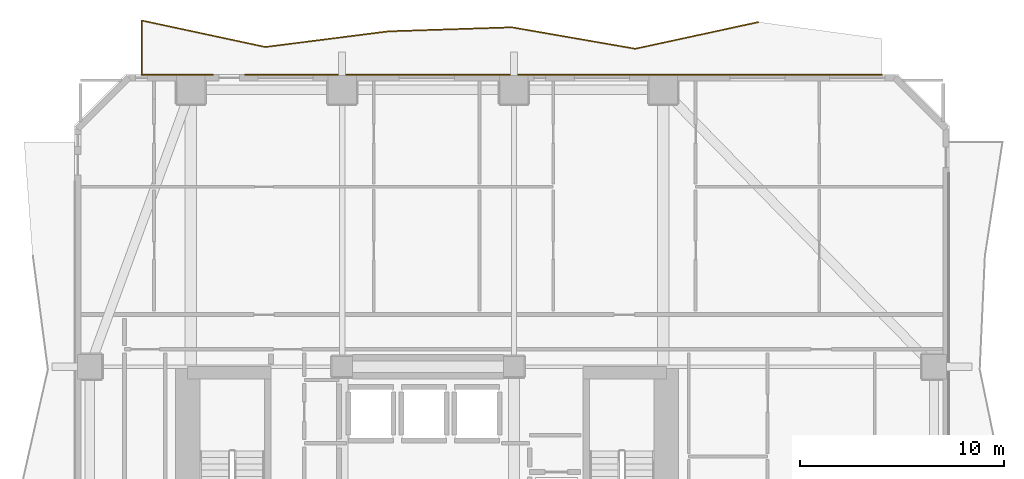
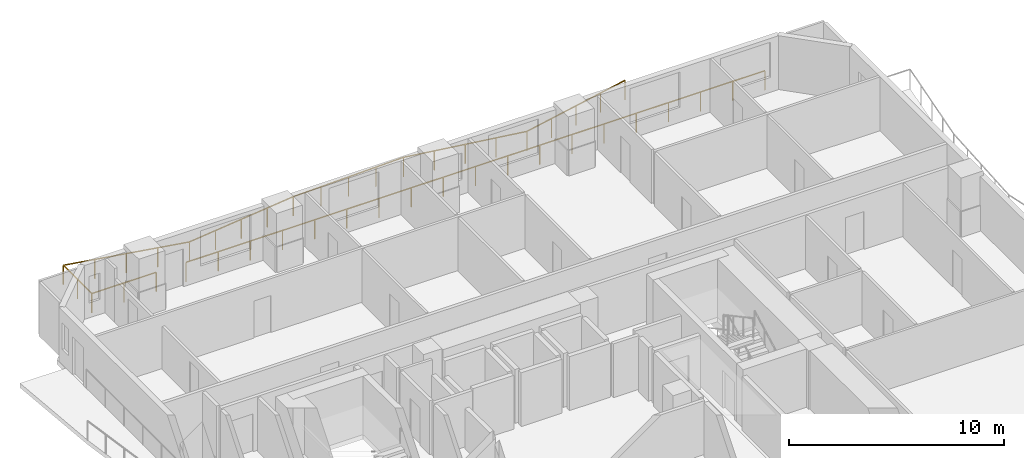
# One storey, part 11 of 11: 2 railings.
"""IFC4 building model written with IfcOpenShell, lengths in metres."""

from ifc_helpers import new_model, si_unit, direction, frame, origin, origin_2d, place, context, subcontext, project, spatial, rectangle, extrude, material, type_object, element, save


model = new_model("IFC4")

# Units and contexts
model_context = context("Model", 3, precision=1e-05, world=origin(), true_north=direction((0.0, 1.0)))
body_context = subcontext(model_context, "Body", "Model", "MODEL_VIEW")
ifc_project = project(units=[si_unit("LENGTHUNIT", "METRE"), si_unit("AREAUNIT", "SQUARE_METRE"), si_unit("VOLUMEUNIT", "CUBIC_METRE"), si_unit("PLANEANGLEUNIT", "RADIAN"), si_unit("MASSUNIT", "GRAM", prefix="KILO")], contexts=[model_context])

# Site, building, storey
site_placement = place(None, origin())
site = spatial("IfcSite", under=ifc_project, at=site_placement, CompositionType="ELEMENT")
building_placement = place(site_placement, origin())
building = spatial("IfcBuilding", under=site, at=building_placement, Name="Solanera Arch Residences", CompositionType="ELEMENT")
storey_placement = place(building_placement, frame((0.0, 0.0, 68.47998046875)))
storey = spatial("IfcBuildingStorey", under=building, at=storey_placement, Name="L19", CompositionType="ELEMENT", Elevation=68.47998046875)

# Railings
ifc_material = material(Name="Steel S355 (ASTM A992 / A572 Grade 50)", Category="steel")
railing_type = type_object("IfcRailingType", Name="Balustrade Railing BL-1100", PredefinedType="BALUSTRADE", material=ifc_material)
railing_1_placement = place(storey_placement, frame((41.1669921875, 56.259033203125, 0.0)))
element("IfcRailing", 1, at=railing_1_placement, inside=storey, type_object=railing_type, Name="L19 N Balcony Balustrade 1", PredefinedType="BALUSTRADE", context=body_context, shape_type="SweptSolid", body=[
    extrude(rectangle(XDim=0.048095703125, YDim=0.048095703125, at=origin_2d()), frame((0.0, 0.0, 1.09619140625), z_axis=(-0.977404229313, -0.211378741885, 0.0), x_axis=(0.211378741885, -0.977404229313, 0.0)), (0.0, 0.0, 1.0), 6.17333984375),
    extrude(rectangle(XDim=0.048095703125, YDim=0.048095703125, at=origin_2d()), frame((-6.033935546875, -1.304931640625, 1.09619140625), z_axis=(-0.98522228736, 0.171280601615, 0.0), x_axis=(-0.171280601615, -0.98522228736, 0.0)), (0.0, 0.0, 1.0), 6.12353515625),
    extrude(rectangle(XDim=0.048095703125, YDim=0.048095703125, at=origin_2d()), frame((-12.06689453125, -0.256103515625, 1.09619140625), z_axis=(-0.999467212416, -0.0326388006, 0.0), x_axis=(0.0326388006, -0.999467212416, 0.0)), (0.0, 0.0, 1.0), 6.036376953125),
    extrude(rectangle(XDim=0.048095703125, YDim=0.048095703125, at=origin_2d()), frame((-18.10009765625, -0.453125, 1.09619140625), z_axis=(-0.99204081397, -0.125916732083, 0.0), x_axis=(0.125916732083, -0.99204081397, 0.0)), (0.0, 0.0, 1.0), 6.082275390625),
    extrude(rectangle(XDim=0.048095703125, YDim=0.048095703125, at=origin_2d()), frame((-24.134033203125, -1.218994140625, 1.09619140625), z_axis=(-0.977763601424, 0.209710132635, 0.0), x_axis=(-0.209710132635, -0.977763601424, 0.0)), (0.0, 0.0, 1.0), 6.170166015625),
    extrude(rectangle(XDim=0.048095703125, YDim=0.048095703125, at=origin_2d()), frame((-30.1669921875, 0.074951171875, 1.09619140625), z_axis=(0.0, -1.0, 0.0), x_axis=(1.0, 0.0, 0.0)), (0.0, 0.0, 1.0), 2.654052734375),
    extrude(rectangle(XDim=0.048095703125, YDim=0.048095703125, at=origin_2d()), frame((-30.1669921875, -2.5791015625, 1.09619140625), z_axis=(1.0, 0.0, 0.0), x_axis=(0.0, 1.0, 0.0)), (0.0, 0.0, 1.0), 3.468017578125),
    extrude(rectangle(XDim=0.0419921875, YDim=0.0419921875, at=origin_2d()), origin(), (0.0, 0.0, 1.0), 1.072021484375),
    extrude(rectangle(XDim=0.0419921875, YDim=0.0419921875, at=origin_2d()), frame((-1.508544921875, -0.326171875, 0.0)), (0.0, 0.0, 1.0), 1.072021484375),
    extrude(rectangle(XDim=0.0419921875, YDim=0.0419921875, at=origin_2d()), frame((-3.01708984375, -0.65234375, 0.0)), (0.0, 0.0, 1.0), 1.072021484375),
    extrude(rectangle(XDim=0.0419921875, YDim=0.0419921875, at=origin_2d()), frame((-4.525390625, -0.978759765625, 0.0)), (0.0, 0.0, 1.0), 1.072021484375),
    extrude(rectangle(XDim=0.0419921875, YDim=0.0419921875, at=origin_2d()), frame((-6.033935546875, -1.304931640625, 0.0)), (0.0, 0.0, 1.0), 1.072021484375),
    extrude(rectangle(XDim=0.0419921875, YDim=0.0419921875, at=origin_2d()), frame((-7.542236328125, -1.042724609375, 0.0)), (0.0, 0.0, 1.0), 1.072021484375),
    extrude(rectangle(XDim=0.0419921875, YDim=0.0419921875, at=origin_2d()), frame((-9.05029296875, -0.780517578125, 0.0)), (0.0, 0.0, 1.0), 1.072021484375),
    extrude(rectangle(XDim=0.0419921875, YDim=0.0419921875, at=origin_2d()), frame((-10.55859375, -0.518310546875, 0.0)), (0.0, 0.0, 1.0), 1.072021484375),
    extrude(rectangle(XDim=0.0419921875, YDim=0.0419921875, at=origin_2d()), frame((-12.06689453125, -0.256103515625, 0.0)), (0.0, 0.0, 1.0), 1.072021484375),
    extrude(rectangle(XDim=0.0419921875, YDim=0.0419921875, at=origin_2d()), frame((-13.5751953125, -0.305419921875, 0.0)), (0.0, 0.0, 1.0), 1.072021484375),
    extrude(rectangle(XDim=0.0419921875, YDim=0.0419921875, at=origin_2d()), frame((-15.08349609375, -0.3544921875, 0.0)), (0.0, 0.0, 1.0), 1.072021484375),
    extrude(rectangle(XDim=0.0419921875, YDim=0.0419921875, at=origin_2d()), frame((-16.591796875, -0.40380859375, 0.0)), (0.0, 0.0, 1.0), 1.072021484375),
    extrude(rectangle(XDim=0.0419921875, YDim=0.0419921875, at=origin_2d()), frame((-18.10009765625, -0.453125, 0.0)), (0.0, 0.0, 1.0), 1.072021484375),
    extrude(rectangle(XDim=0.0419921875, YDim=0.0419921875, at=origin_2d()), frame((-19.608642578125, -0.64453125, 0.0)), (0.0, 0.0, 1.0), 1.072021484375),
    extrude(rectangle(XDim=0.0419921875, YDim=0.0419921875, at=origin_2d()), frame((-21.1171875, -0.8359375, 0.0)), (0.0, 0.0, 1.0), 1.072021484375),
    extrude(rectangle(XDim=0.0419921875, YDim=0.0419921875, at=origin_2d()), frame((-22.62548828125, -1.027587890625, 0.0)), (0.0, 0.0, 1.0), 1.072021484375),
    extrude(rectangle(XDim=0.0419921875, YDim=0.0419921875, at=origin_2d()), frame((-24.134033203125, -1.218994140625, 0.0)), (0.0, 0.0, 1.0), 1.072021484375),
    extrude(rectangle(XDim=0.0419921875, YDim=0.0419921875, at=origin_2d()), frame((-25.642333984375, -0.8955078125, 0.0)), (0.0, 0.0, 1.0), 1.072021484375),
    extrude(rectangle(XDim=0.0419921875, YDim=0.0419921875, at=origin_2d()), frame((-27.150390625, -0.572021484375, 0.0)), (0.0, 0.0, 1.0), 1.072021484375),
    extrude(rectangle(XDim=0.0419921875, YDim=0.0419921875, at=origin_2d()), frame((-28.65869140625, -0.24853515625, 0.0)), (0.0, 0.0, 1.0), 1.072021484375),
    extrude(rectangle(XDim=0.0419921875, YDim=0.0419921875, at=origin_2d()), frame((-30.1669921875, 0.074951171875, 0.0)), (0.0, 0.0, 1.0), 1.072021484375),
    extrude(rectangle(XDim=0.0419921875, YDim=0.0419921875, at=origin_2d()), frame((-30.1669921875, -1.251953125, 0.0)), (0.0, 0.0, 1.0), 1.072021484375),
    extrude(rectangle(XDim=0.0419921875, YDim=0.0419921875, at=origin_2d()), frame((-30.1669921875, -2.5791015625, 0.0)), (0.0, 0.0, 1.0), 1.072021484375),
    extrude(rectangle(XDim=0.0419921875, YDim=0.0419921875, at=origin_2d()), frame((-28.43310546875, -2.5791015625, 0.0)), (0.0, 0.0, 1.0), 1.072021484375),
    extrude(rectangle(XDim=0.0419921875, YDim=0.0419921875, at=origin_2d()), frame((-26.698974609375, -2.5791015625, 0.0)), (0.0, 0.0, 1.0), 1.072021484375),
])
railing_2_placement = place(storey_placement, frame((16.068115234375, 53.679931640625, 0.0)))
element("IfcRailing", 2, at=railing_2_placement, inside=storey, type_object=railing_type, Name="L19 N Balcony Balustrade 2", PredefinedType="BALUSTRADE", context=body_context, shape_type="SweptSolid", body=[
    extrude(rectangle(XDim=0.048095703125, YDim=0.048095703125, at=origin_2d()), frame((0.0, 0.0, 1.09619140625), z_axis=(1.0, 0.0, 0.0), x_axis=(0.0, 1.0, 0.0)), (0.0, 0.0, 1.0), 31.1318359375),
    extrude(rectangle(XDim=0.0419921875, YDim=0.0419921875, at=origin_2d()), origin(), (0.0, 0.0, 1.0), 1.072021484375),
    extrude(rectangle(XDim=0.0419921875, YDim=0.0419921875, at=origin_2d()), frame((1.7294921875, 0.0, 0.0)), (0.0, 0.0, 1.0), 1.072021484375),
    extrude(rectangle(XDim=0.0419921875, YDim=0.0419921875, at=origin_2d()), frame((3.458984375, 0.0, 0.0)), (0.0, 0.0, 1.0), 1.072021484375),
    extrude(rectangle(XDim=0.0419921875, YDim=0.0419921875, at=origin_2d()), frame((5.188720703125, 0.0, 0.0)), (0.0, 0.0, 1.0), 1.072021484375),
    extrude(rectangle(XDim=0.0419921875, YDim=0.0419921875, at=origin_2d()), frame((6.918212890625, 0.0, 0.0)), (0.0, 0.0, 1.0), 1.072021484375),
    extrude(rectangle(XDim=0.0419921875, YDim=0.0419921875, at=origin_2d()), frame((8.647705078125, 0.0, 0.0)), (0.0, 0.0, 1.0), 1.072021484375),
    extrude(rectangle(XDim=0.0419921875, YDim=0.0419921875, at=origin_2d()), frame((10.377197265625, 0.0, 0.0)), (0.0, 0.0, 1.0), 1.072021484375),
    extrude(rectangle(XDim=0.0419921875, YDim=0.0419921875, at=origin_2d()), frame((12.10693359375, 0.0, 0.0)), (0.0, 0.0, 1.0), 1.072021484375),
    extrude(rectangle(XDim=0.0419921875, YDim=0.0419921875, at=origin_2d()), frame((13.83642578125, 0.0, 0.0)), (0.0, 0.0, 1.0), 1.072021484375),
    extrude(rectangle(XDim=0.0419921875, YDim=0.0419921875, at=origin_2d()), frame((15.56591796875, 0.0, 0.0)), (0.0, 0.0, 1.0), 1.072021484375),
    extrude(rectangle(XDim=0.0419921875, YDim=0.0419921875, at=origin_2d()), frame((17.29541015625, 0.0, 0.0)), (0.0, 0.0, 1.0), 1.072021484375),
    extrude(rectangle(XDim=0.0419921875, YDim=0.0419921875, at=origin_2d()), frame((19.02490234375, 0.0, 0.0)), (0.0, 0.0, 1.0), 1.072021484375),
    extrude(rectangle(XDim=0.0419921875, YDim=0.0419921875, at=origin_2d()), frame((20.754638671875, 0.0, 0.0)), (0.0, 0.0, 1.0), 1.072021484375),
    extrude(rectangle(XDim=0.0419921875, YDim=0.0419921875, at=origin_2d()), frame((22.484130859375, 0.0, 0.0)), (0.0, 0.0, 1.0), 1.072021484375),
    extrude(rectangle(XDim=0.0419921875, YDim=0.0419921875, at=origin_2d()), frame((24.213623046875, 0.0, 0.0)), (0.0, 0.0, 1.0), 1.072021484375),
    extrude(rectangle(XDim=0.0419921875, YDim=0.0419921875, at=origin_2d()), frame((25.943115234375, 0.0, 0.0)), (0.0, 0.0, 1.0), 1.072021484375),
    extrude(rectangle(XDim=0.0419921875, YDim=0.0419921875, at=origin_2d()), frame((27.6728515625, 0.0, 0.0)), (0.0, 0.0, 1.0), 1.072021484375),
    extrude(rectangle(XDim=0.0419921875, YDim=0.0419921875, at=origin_2d()), frame((29.40234375, 0.0, 0.0)), (0.0, 0.0, 1.0), 1.072021484375),
    extrude(rectangle(XDim=0.0419921875, YDim=0.0419921875, at=origin_2d()), frame((31.1318359375, 0.0, 0.0)), (0.0, 0.0, 1.0), 1.072021484375),
])

save(model, "model.ifc")
